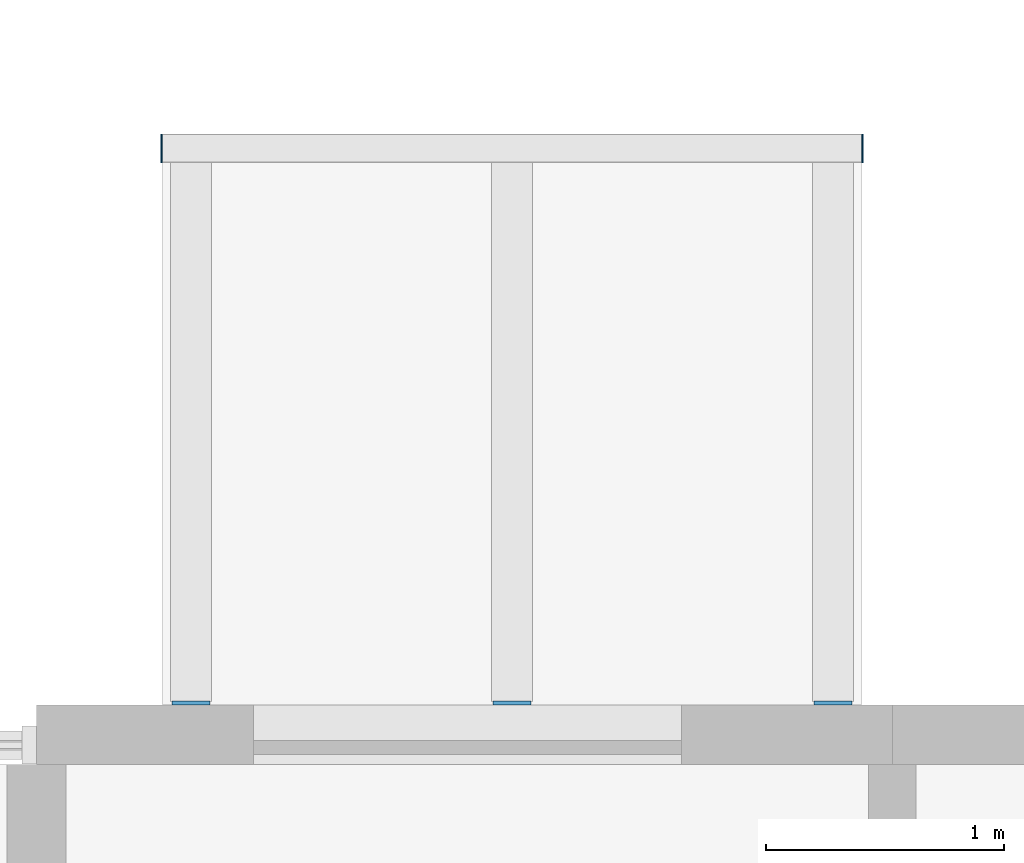
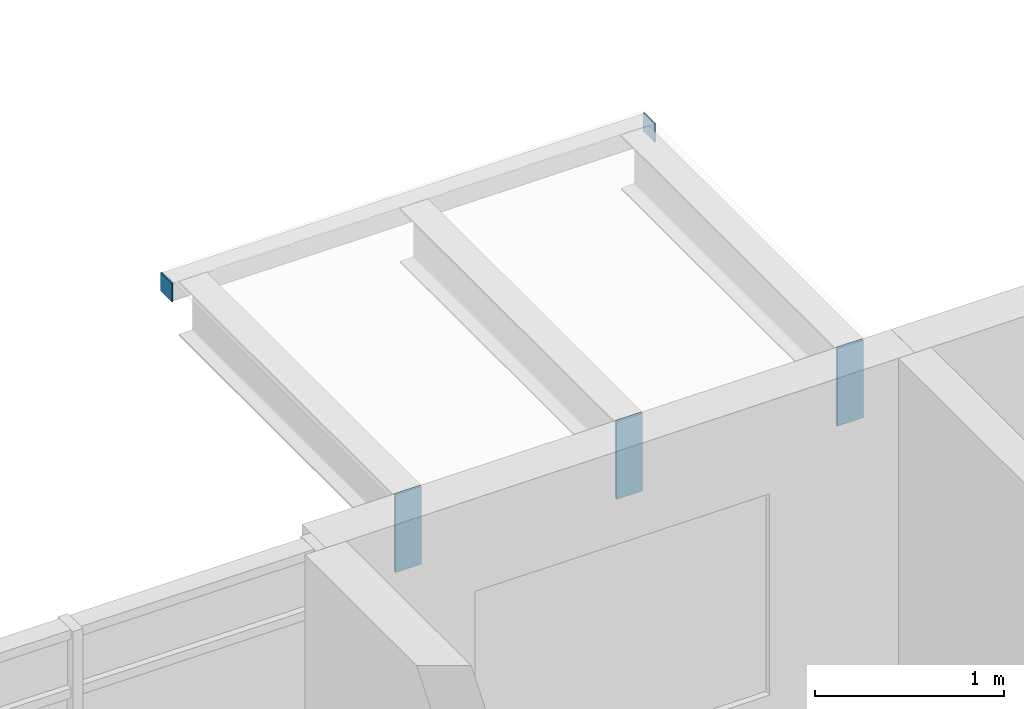
# One storey, part 66 of 87: 5 discrete accessories.
"""IFC4 building model written with IfcOpenShell, lengths in metres."""

from ifc_helpers import new_model, si_unit, direction, frame, origin, origin_2d, place, context, subcontext, project, spatial, rectangle, extrude, material, layer, layer_set, type_object, element, save


model = new_model("IFC4")

# Units and contexts
model_context = context("Model", 3, precision=1e-05, world=origin(), true_north=direction((0.0, 1.0)))
body_context = subcontext(model_context, "Body", "Model", "MODEL_VIEW")
ifc_project = project(units=[si_unit("LENGTHUNIT", "METRE"), si_unit("AREAUNIT", "SQUARE_METRE"), si_unit("VOLUMEUNIT", "CUBIC_METRE"), si_unit("PLANEANGLEUNIT", "RADIAN"), si_unit("MASSUNIT", "GRAM", prefix="KILO")], contexts=[model_context])

# Site, building, storey
site_placement = place(None, origin())
site = spatial("IfcSite", under=ifc_project, at=site_placement, CompositionType="ELEMENT")
building_placement = place(site_placement, origin())
building = spatial("IfcBuilding", under=site, at=building_placement, Name="Ridgestep Commons", CompositionType="ELEMENT")
storey_placement = place(building_placement, frame((0.0, 0.0, 27.0)))
storey = spatial("IfcBuildingStorey", under=building, at=storey_placement, Name="L09", CompositionType="ELEMENT", Elevation=27.0)

# Discrete accessories
ifc_material_1 = material(Name="Weathering steel S355J2W", Category="steel")
ifc_layer_1 = layer(ifc_material_1, 0.014892578125)
ifc_layer_set_1 = layer_set([ifc_layer_1], Name="Tray bracket plate 15")
discrete_accessory_type_1 = type_object("IfcDiscreteAccessoryType", Name="Tray bracket plate 15", PredefinedType="BRACKET", material=ifc_layer_set_1)
for number, where, z_axis, x_axis, name in (
    (1, (170.25, 23.007568359375, 2.488525390625), (0.0, 0.0, 1.0), (1.0, 0.0, 0.0), "Tray bracket D2T3-10.1"),
    (2, (171.60009765625, 23.007568359375, 2.488525390625), (0.0, 0.0, 1.0), (1.0, 0.0, 0.0), "Tray bracket D2T3-10.2"),
    (3, (172.949951171875, 23.007568359375, 2.488525390625), (0.0, 0.0, 1.0), (1.0, 0.0, 0.0), "Tray bracket D2T3-10.3"),
):
    element("IfcDiscreteAccessory", number, at=place(storey_placement, frame(where, z_axis=z_axis, x_axis=x_axis)), inside=storey, type_object=discrete_accessory_type_1, Name=name, PredefinedType="BRACKET", context=body_context, shape_type="SweptSolid", body=[
        extrude(rectangle(XDim=0.159912109375, YDim=0.014892578125, at=origin_2d()), origin(), (0.0, 0.0, 1.0), 0.50146484375),
    ])
ifc_material_2 = material(Name="Weathering steel S355J2W", Category="steel")
ifc_layer_2 = layer(ifc_material_2, 0.008056640625)
ifc_layer_set_2 = layer_set([ifc_layer_2], Name="Tray edge member end plate 120 x 120 x 8")
discrete_accessory_type_2 = type_object("IfcDiscreteAccessoryType", Name="Tray edge member end plate 120 x 120 x 8", PredefinedType="BRACKET", material=ifc_layer_set_2)
for number, where, z_axis, x_axis, name in (
    (4, (170.1259765625, 25.340087890625, 2.869873046875), (0.0, 0.0, 1.0), (1.0, 0.0, 0.0), "Tray edge member end plate D2T3-10 west"),
    (5, (173.073974609375, 25.340087890625, 2.869873046875), (0.0, 0.0, 1.0), (1.0, 0.0, 0.0), "Tray edge member end plate D2T3-10 east"),
):
    element("IfcDiscreteAccessory", number, at=place(storey_placement, frame(where, z_axis=z_axis, x_axis=x_axis)), inside=storey, type_object=discrete_accessory_type_2, Name=name, PredefinedType="BRACKET", context=body_context, shape_type="SweptSolid", body=[
        extrude(rectangle(XDim=0.008056640625, YDim=0.1201171875, at=origin_2d()), origin(), (0.0, 0.0, 1.0), 0.1201171875),
    ])

save(model, "model.ifc")
